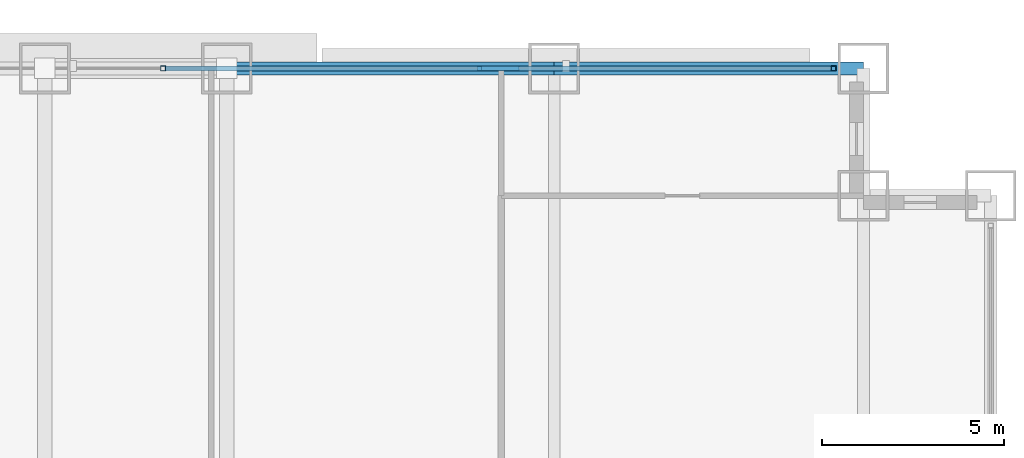
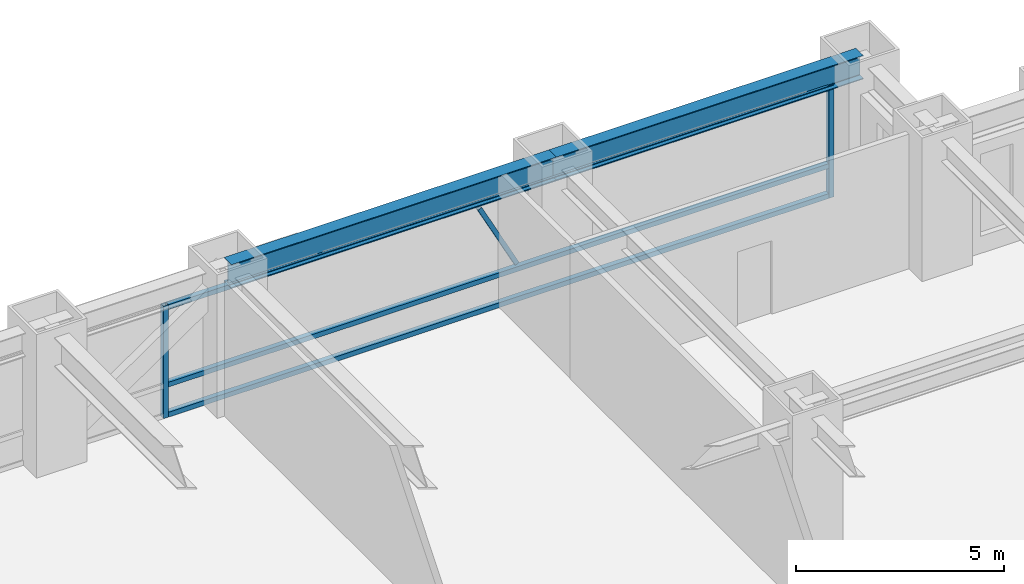
# One storey, part 21 of 31: 6 members, 2 beams, 1 element without a shape of its own.
"""IFC4 building model written with IfcOpenShell, lengths in metres."""

from ifc_helpers import new_model, si_unit, direction, frame, origin, origin_2d, place, context, subcontext, project, spatial, hollow_rectangle, i_section, extrude, source, transform, mapped, material, material_profile, profile_set, type_object, element, aggregate, save


model = new_model("IFC4")

# Units and contexts
model_context = context("Model", 3, precision=1e-05, world=origin(), true_north=direction((0.0, 1.0)))
body_context = subcontext(model_context, "Body", "Model", "MODEL_VIEW")
ifc_project = project(units=[si_unit("LENGTHUNIT", "METRE"), si_unit("AREAUNIT", "SQUARE_METRE"), si_unit("VOLUMEUNIT", "CUBIC_METRE"), si_unit("PLANEANGLEUNIT", "RADIAN"), si_unit("MASSUNIT", "GRAM", prefix="KILO")], contexts=[model_context])

# Site, building, storey
site_placement = place(None, origin())
site = spatial("IfcSite", under=ifc_project, at=site_placement, CompositionType="ELEMENT")
building_placement = place(site_placement, origin())
building = spatial("IfcBuilding", under=site, at=building_placement, Name="Khorayat Bourse Tower", CompositionType="ELEMENT")
storey_placement = place(building_placement, frame((0.0, 0.0, 36.800048828125)))
storey = spatial("IfcBuildingStorey", under=building, at=storey_placement, Name="L07", CompositionType="ELEMENT", Elevation=36.800048828125)

# Beams
ifc_material_1 = material(Name="Steel ASTM A992 Grade 50", Category="steel")
ifc_material_profile_1 = material_profile(ifc_material_1, i_section(OverallWidth=0.35498046875, OverallDepth=0.695068359375, WebThickness=0.015380859375, FlangeThickness=0.02490234375, FilletRadius=0.01806640625, at=origin_2d()), Name="W690X217")
ifc_profile_set_1 = profile_set([ifc_material_profile_1], Name="Steel ASTM A992 Grade 50")
beam_type = type_object("IfcBeamType", Name="BM-SPAN-690", PredefinedType="SPANDREL", material=ifc_profile_set_1)
shared_shape_1 = source(origin(), body_context, "Body", "SweptSolid", [
    extrude(i_section(OverallWidth=0.35498046875, OverallDepth=0.695068359375, WebThickness=0.015380859375, FlangeThickness=0.02490234375, FilletRadius=0.01806640625, at=origin_2d()), origin(), (0.0, 0.0, 1.0), 8.5),
])
beam_1_placement = place(storey_placement, frame((20.0, 32.0, 3.592529296875), z_axis=(1.0, 0.0, 0.0), x_axis=(0.0, 1.0, 0.0)))
element("IfcBeam", 1, at=beam_1_placement, inside=storey, type_object=beam_type, Name="L07 BM-SPAN-690 BM-L07-SPN-044", PredefinedType="SPANDREL", context=body_context, shape_type="MappedRepresentation", body=[
    mapped(shared_shape_1, transform((0.0, 0.0, 0.0), scale=1.0)),
])
shared_shape_2 = source(origin(), body_context, "Body", "SweptSolid", [
    extrude(i_section(OverallWidth=0.35498046875, OverallDepth=0.695068359375, WebThickness=0.015380859375, FlangeThickness=0.02490234375, FilletRadius=0.01806640625, at=origin_2d()), origin(), (0.0, 0.0, 1.0), 9.0),
])
beam_2_placement = place(storey_placement, frame((11.0, 32.0, 3.592529296875), z_axis=(1.0, 0.0, 0.0), x_axis=(0.0, 1.0, 0.0)))
element("IfcBeam", 2, at=beam_2_placement, inside=storey, type_object=beam_type, Name="L07 BM-SPAN-690 BM-L07-SPN-045", PredefinedType="SPANDREL", context=body_context, shape_type="MappedRepresentation", body=[
    mapped(shared_shape_2, transform((0.0, 0.0, 0.0), scale=1.0)),
])

# Curtain wall, members
ifc_material_2 = material(Name="Aluminium EN AW-6063 T6", Category="aluminium")
curtain_wall_type = type_object("IfcCurtainWallType", Name="CW-SYS-02", PredefinedType="NOTDEFINED", material=ifc_material_2)
curtain_wall_placement = place(storey_placement, origin())
curtain_wall = element("IfcCurtainWall", 3, at=curtain_wall_placement, inside=storey, type_object=curtain_wall_type, Name="L07 Curtain Wall CW-L07-N1", PredefinedType="NOTDEFINED")
ifc_material_profile_2 = material_profile(ifc_material_2, hollow_rectangle(XDim=0.139892578125, YDim=0.139892578125, WallThickness=0.006103515625, at=origin_2d()), Name="ALU 140x140x6")
ifc_profile_set_2 = profile_set([ifc_material_profile_2], Name="Aluminium EN AW-6063 T6")
member_type_1 = type_object("IfcMemberType", Name="CWT-HORZ-140", PredefinedType="USERDEFINED", material=ifc_profile_set_2)
shared_shape_3 = source(origin(), body_context, "Body", "SweptSolid", [
    extrude(hollow_rectangle(XDim=0.139892578125, YDim=0.139892578125, WallThickness=0.006103515625, at=origin_2d()), origin(), (0.0, 0.0, 1.0), 18.2900390625),
])
member_1_placement = place(storey_placement, frame((9.320068359375, 32.0, 0.070068359375), z_axis=(1.0, 0.0, 0.0), x_axis=(0.0, 1.0, 0.0)))
member_1 = element("IfcMember", 4, at=member_1_placement, type_object=member_type_1, Name="CW-L07-N1 Horizontal Transom 3-1", ObjectType="TRANSOM", PredefinedType="USERDEFINED", context=body_context, shape_type="MappedRepresentation", body=[
    mapped(shared_shape_3, transform((0.0, 0.0, 0.0), scale=1.0)),
])
member_2_placement = place(storey_placement, frame((9.320068359375, 32.0, 0.949951171875), z_axis=(1.0, 0.0, 0.0), x_axis=(0.0, 1.0, 0.0)))
member_2 = element("IfcMember", 5, at=member_2_placement, type_object=member_type_1, Name="CW-L07-N1 Horizontal Transom 3-2", ObjectType="TRANSOM", PredefinedType="USERDEFINED", context=body_context, shape_type="MappedRepresentation", body=[
    mapped(shared_shape_3, transform((0.0, 0.0, 0.0), scale=1.0)),
])
member_3_placement = place(storey_placement, frame((9.320068359375, 32.0, 3.219970703125), z_axis=(1.0, 0.0, 0.0), x_axis=(0.0, 1.0, 0.0)))
member_3 = element("IfcMember", 6, at=member_3_placement, type_object=member_type_1, Name="CW-L07-N1 Horizontal Transom 3-3", ObjectType="TRANSOM", PredefinedType="USERDEFINED", context=body_context, shape_type="MappedRepresentation", body=[
    mapped(shared_shape_3, transform((0.0, 0.0, 0.0), scale=1.0)),
])
ifc_material_profile_3 = material_profile(ifc_material_2, hollow_rectangle(XDim=0.139892578125, YDim=0.139892578125, WallThickness=0.006103515625, at=origin_2d()), Name="ALU 140x140x6")
ifc_profile_set_3 = profile_set([ifc_material_profile_3], Name="Aluminium EN AW-6063 T6")
member_type_2 = type_object("IfcMemberType", Name="CWM-VERT-140", PredefinedType="MULLION", material=ifc_profile_set_3)
shared_shape_4 = source(origin(), body_context, "Body", "SweptSolid", [
    extrude(hollow_rectangle(XDim=0.139892578125, YDim=0.139892578125, WallThickness=0.006103515625, at=origin_2d()), origin(), (0.0, 0.0, 1.0), 3.2900390625),
])
member_4_placement = place(storey_placement, frame((9.25, 32.0, 0.0), z_axis=(0.0, 0.0, 1.0), x_axis=(0.0, 1.0, 0.0)))
member_4 = element("IfcMember", 7, at=member_4_placement, type_object=member_type_2, Name="CW-L07-N1 Vertical Mullion 3", PredefinedType="MULLION", context=body_context, shape_type="MappedRepresentation", body=[
    mapped(shared_shape_4, transform((0.0, 0.0, 0.0), scale=1.0)),
])
member_5_placement = place(storey_placement, frame((27.679931640625, 32.0, 0.0), z_axis=(0.0, 0.0, 1.0), x_axis=(0.0, 1.0, 0.0)))
member_5 = element("IfcMember", 8, at=member_5_placement, type_object=member_type_2, Name="CW-L07-N1 Vertical Mullion 4", PredefinedType="MULLION", context=body_context, shape_type="MappedRepresentation", body=[
    mapped(shared_shape_4, transform((0.0, 0.0, 0.0), scale=1.0)),
])
ifc_material_profile_4 = material_profile(ifc_material_2, hollow_rectangle(XDim=0.1201171875, YDim=0.1201171875, WallThickness=0.0048828125, at=origin_2d()), Name="ALU 120x120x5")
ifc_profile_set_4 = profile_set([ifc_material_profile_4], Name="Aluminium EN AW-6063 T6")
member_type_3 = type_object("IfcMemberType", Name="CWM-DIAG-120", PredefinedType="MULLION", material=ifc_profile_set_4)
shared_shape_5 = source(origin(), body_context, "Body", "SweptSolid", [
    extrude(hollow_rectangle(XDim=0.1201171875, YDim=0.1201171875, WallThickness=0.0048828125, at=origin_2d()), origin(), (0.0, 0.0, 1.0), 2.226318359375),
])
member_6_placement = place(storey_placement, frame((18.9833984375, 32.0, 1.099853515625), z_axis=(-0.465714796031, 0.0, 0.884934872608), x_axis=(0.0, -1.0, 0.0)))
member_6 = element("IfcMember", 9, at=member_6_placement, type_object=member_type_3, Name="CW-L07-N1 Faceted Diagonal Mullion 3", PredefinedType="MULLION", context=body_context, shape_type="MappedRepresentation", body=[
    mapped(shared_shape_5, transform((0.0, 0.0, 0.0), scale=1.0)),
])
aggregate(curtain_wall, [member_4, member_5, member_1, member_2, member_3, member_6])

save(model, "model.ifc")
